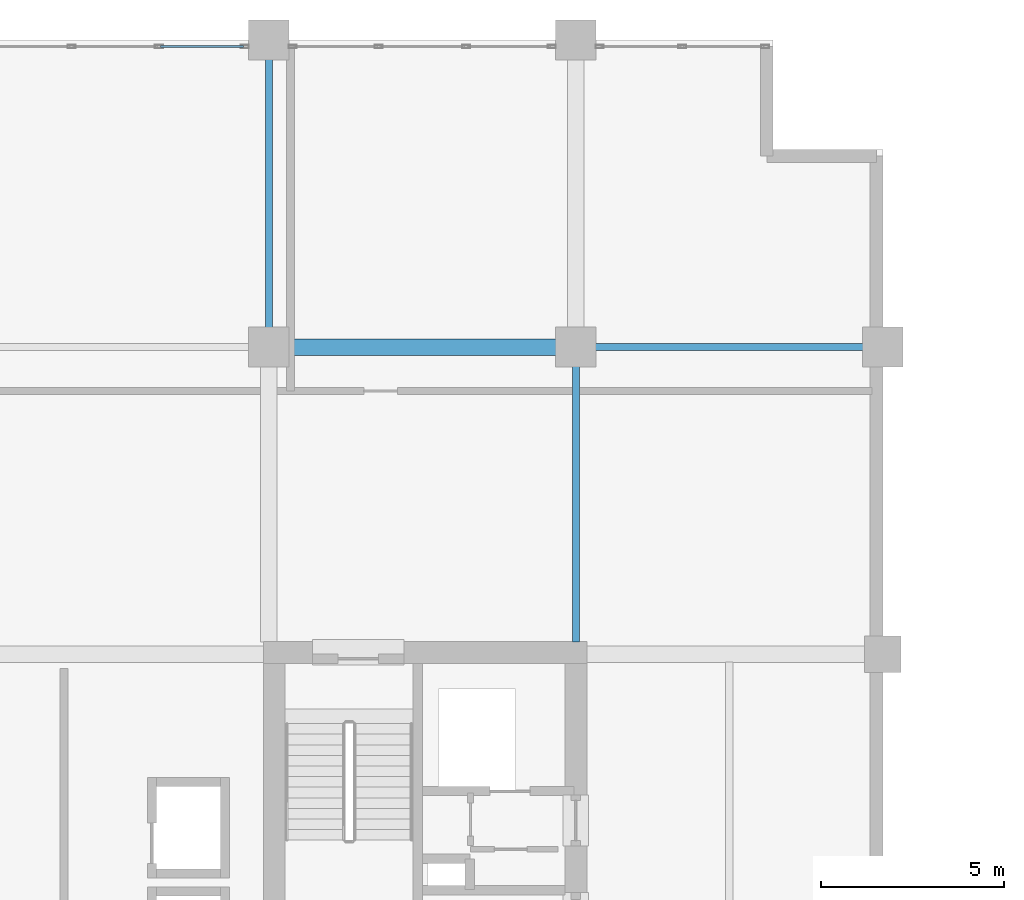
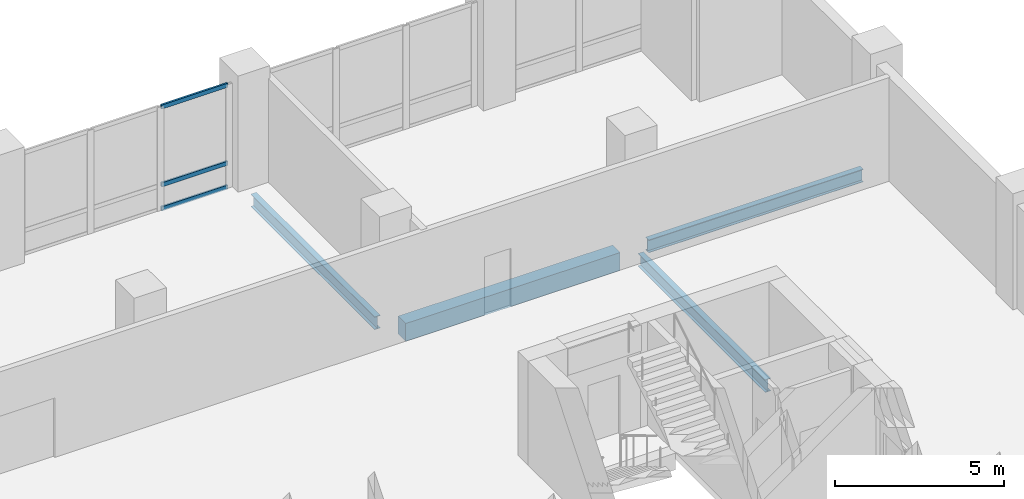
# One storey, part 7 of 21: 4 beams, 3 members, 1 element without a shape of its own.
"""IFC4 building model written with IfcOpenShell, lengths in metres."""

from ifc_helpers import new_model, si_unit, direction, frame, origin, origin_2d, place, context, subcontext, project, spatial, rectangle, hollow_rectangle, i_section, extrude, material, layer, layer_set, material_profile, profile_set, type_object, element, aggregate, save


model = new_model("IFC4")

# Units and contexts
model_context = context("Model", 3, precision=1e-05, world=origin(), true_north=direction((0.0, 1.0)))
body_context = subcontext(model_context, "Body", "Model", "MODEL_VIEW")
ifc_project = project(units=[si_unit("LENGTHUNIT", "METRE"), si_unit("AREAUNIT", "SQUARE_METRE"), si_unit("VOLUMEUNIT", "CUBIC_METRE"), si_unit("PLANEANGLEUNIT", "RADIAN"), si_unit("MASSUNIT", "GRAM", prefix="KILO")], contexts=[model_context])

# Site, building, storey
site_placement = place(None, origin())
site = spatial("IfcSite", under=ifc_project, at=site_placement, CompositionType="ELEMENT")
building_placement = place(site_placement, origin())
building = spatial("IfcBuilding", under=site, at=building_placement, Name="Koriwani Terraces Tower", CompositionType="ELEMENT")
storey_placement = place(building_placement, frame((0.0, 0.0, 224.0)))
storey = spatial("IfcBuildingStorey", under=building, at=storey_placement, Name="L55", CompositionType="ELEMENT", Elevation=224.0)

# Beam
ifc_material_1 = material(Name="Concrete C50/60", Category="concrete")
ifc_material_profile_1 = material_profile(ifc_material_1, rectangle(XDim=0.449951171875, YDim=0.64990234375, at=origin_2d()), Name="Concrete C50/60", Category="LoadBearing")
ifc_profile_set_1 = profile_set([ifc_material_profile_1], Name="Concrete C50/60")
beam_type_1 = type_object("IfcBeamType", Name="BEAM_RC_GRID_450X650", PredefinedType="BEAM", material=ifc_profile_set_1)
beam_1_placement = place(storey_placement, frame((17.330078125, 67.199951171875, -0.554931640625), z_axis=(1.0, 0.0, 0.0), x_axis=(0.0, 1.0, 0.0)))
element("IfcBeam", 1, at=beam_1_placement, inside=storey, type_object=beam_type_1, Name="L55 Grid Beam I (16.8-25.2m)", PredefinedType="BEAM", context=body_context, shape_type="SweptSolid", body=[
    extrude(rectangle(XDim=0.449951171875, YDim=0.64990234375, at=origin_2d()), origin(), (0.0, 0.0, 1.0), 7.33984375),
])

# Curtain wall, members
ifc_material_2 = material(Name="Anodised Bronze Aluminium", Category="aluminium")
ifc_layer = layer(ifc_material_2, 0.219970703125, Name="Anodised Bronze Aluminium")
ifc_layer_set = layer_set([ifc_layer], Name="Anodised Bronze Aluminium")
curtain_wall_type = type_object("IfcCurtainWallType", Name="CW_SKY_LOUNGE", PredefinedType="NOTDEFINED", material=ifc_layer_set)
curtain_wall_placement = place(storey_placement, origin())
curtain_wall = element("IfcCurtainWall", 2, at=curtain_wall_placement, inside=storey, type_object=curtain_wall_type, Name="L55 Unitised Curtain Wall (N_TIP) Bay 2", PredefinedType="NOTDEFINED")
ifc_material_profile_2 = material_profile(ifc_material_2, hollow_rectangle(XDim=0.06494140625, YDim=0.14990234375, WallThickness=0.0048828125, at=origin_2d()), Name="Anodised Bronze Aluminium", Category="LoadBearing")
ifc_profile_set_2 = profile_set([ifc_material_profile_2], Name="Anodised Bronze Aluminium")
member_type = type_object("IfcMemberType", Name="CW_TRANSOM_150X65", PredefinedType="USERDEFINED", material=ifc_profile_set_2)
member_1_placement = place(storey_placement, frame((13.839111328125, 75.425048828125, 0.032470703125), z_axis=(1.0, 0.0, 0.0), x_axis=(0.0, 1.0, 0.0)))
member_1 = element("IfcMember", 3, at=member_1_placement, type_object=member_type, Name="CW-SKY transom 3.1", ObjectType="TRANSOM", PredefinedType="USERDEFINED", context=body_context, shape_type="SweptSolid", body=[
    extrude(hollow_rectangle(XDim=0.06494140625, YDim=0.14990234375, WallThickness=0.0048828125, at=origin_2d()), origin(), (0.0, 0.0, 1.0), 2.265869140625),
])
member_2_placement = place(storey_placement, frame((13.839111328125, 75.425048828125, 0.89990234375), z_axis=(1.0, 0.0, 0.0), x_axis=(0.0, 1.0, 0.0)))
member_2 = element("IfcMember", 4, at=member_2_placement, type_object=member_type, Name="CW-SKY transom 3.2", ObjectType="TRANSOM", PredefinedType="USERDEFINED", context=body_context, shape_type="SweptSolid", body=[
    extrude(hollow_rectangle(XDim=0.06494140625, YDim=0.14990234375, WallThickness=0.0048828125, at=origin_2d()), origin(), (0.0, 0.0, 1.0), 2.265869140625),
])
member_3_placement = place(storey_placement, frame((13.839111328125, 75.425048828125, 3.717529296875), z_axis=(1.0, 0.0, 0.0), x_axis=(0.0, 1.0, 0.0)))
member_3 = element("IfcMember", 5, at=member_3_placement, type_object=member_type, Name="CW-SKY transom 3.3", ObjectType="TRANSOM", PredefinedType="USERDEFINED", context=body_context, shape_type="SweptSolid", body=[
    extrude(hollow_rectangle(XDim=0.06494140625, YDim=0.14990234375, WallThickness=0.0048828125, at=origin_2d()), origin(), (0.0, 0.0, 1.0), 2.265869140625),
])
aggregate(curtain_wall, [member_1, member_2, member_3])

# Beams
ifc_material_3 = material(Name="Steel ASTM A572 Grade 50", Category="steel")
ifc_material_profile_3 = material_profile(ifc_material_3, i_section(OverallWidth=0.19189453125, OverallDepth=0.462890625, WebThickness=0.010498046875, FlangeThickness=0.01611328125, at=origin_2d()), Name="Steel ASTM A572 Grade 50", Category="LoadBearing")
ifc_profile_set_3 = profile_set([ifc_material_profile_3], Name="Steel ASTM A572 Grade 50")
beam_type_2 = type_object("IfcBeamType", Name="STEEL_BEAM_W460X89", PredefinedType="BEAM", material=ifc_profile_set_3)
for number, where, z_axis, x_axis, name in (
    (6, (25.72998046875, 67.199951171875, -0.46142578125), (1.0, 0.0, 0.0), (0.0, 1.0, 0.0), "L55 Grid Beam I (25.2-33.6m)"),
    (7, (16.800048828125, 67.72998046875, -0.46142578125), (0.0, 1.0, 0.0), (-1.0, 0.0, 0.0), "L55 Grid Beam 3 (67.2-75.6m)"),
):
    element("IfcBeam", number, at=place(storey_placement, frame(where, z_axis=z_axis, x_axis=x_axis)), inside=storey, type_object=beam_type_2, Name=name, PredefinedType="BEAM", context=body_context, shape_type="SweptSolid", body=[
        extrude(i_section(OverallWidth=0.19189453125, OverallDepth=0.462890625, WebThickness=0.010498046875, FlangeThickness=0.01611328125, at=origin_2d()), origin(), (0.0, 0.0, 1.0), 7.340087890625),
    ])
beam_2_placement = place(storey_placement, frame((25.199951171875, 59.1298828125, -0.46142578125), z_axis=(0.0, 1.0, 0.0), x_axis=(-1.0, 0.0, 0.0)))
element("IfcBeam", 8, at=beam_2_placement, inside=storey, type_object=beam_type_2, Name="L55 Grid Beam 4 (58.8-67.2m)", PredefinedType="BEAM", context=body_context, shape_type="SweptSolid", body=[
    extrude(i_section(OverallWidth=0.19189453125, OverallDepth=0.462890625, WebThickness=0.010498046875, FlangeThickness=0.01611328125, at=origin_2d()), origin(), (0.0, 0.0, 1.0), 7.5400390625),
])

save(model, "model.ifc")
